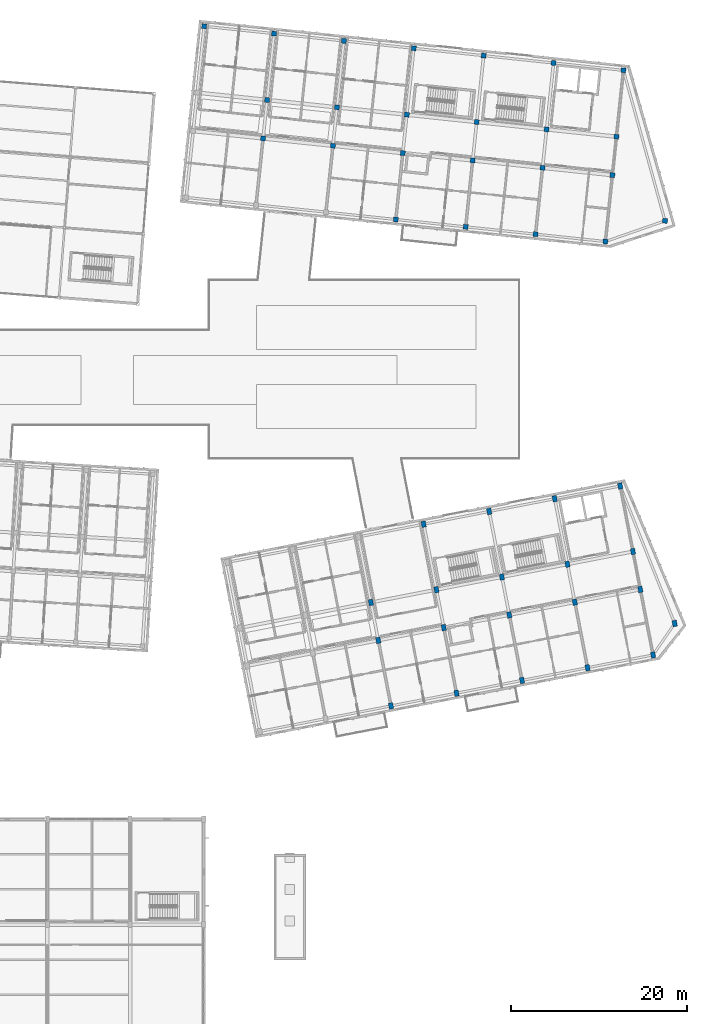
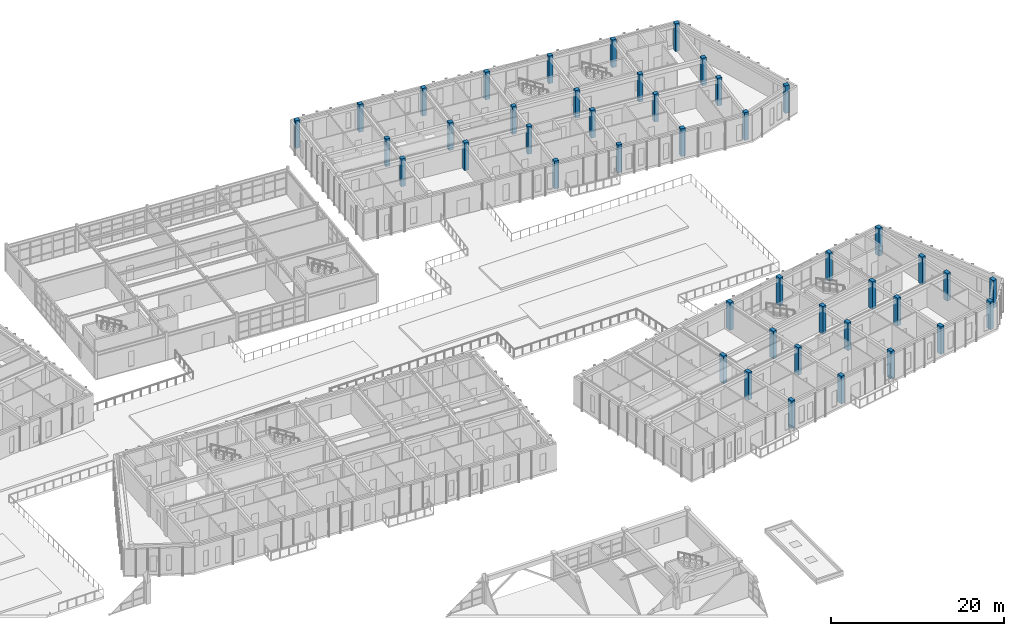
# One storey, part 5 of 150: 44 columns.
"""IFC4 building model written with IfcOpenShell, lengths in metres."""

from ifc_helpers import new_model, si_unit, direction, frame, origin, origin_2d, place, context, subcontext, project, spatial, rectangle, extrude, material, material_profile, profile_set, type_object, element, save


model = new_model("IFC4")

# Units and contexts
model_context = context("Model", 3, precision=1e-05, world=origin(), true_north=direction((0.0, 1.0)))
body_context = subcontext(model_context, "Body", "Model", "MODEL_VIEW")
ifc_project = project(units=[si_unit("LENGTHUNIT", "METRE"), si_unit("AREAUNIT", "SQUARE_METRE"), si_unit("VOLUMEUNIT", "CUBIC_METRE"), si_unit("PLANEANGLEUNIT", "RADIAN"), si_unit("MASSUNIT", "GRAM", prefix="KILO")], contexts=[model_context])

# Site, building, storey
site_placement = place(None, origin())
site = spatial("IfcSite", under=ifc_project, at=site_placement, CompositionType="ELEMENT")
building_placement = place(site_placement, origin())
building = spatial("IfcBuilding", under=site, at=building_placement, Name="Kestramere Prow Commons", CompositionType="ELEMENT")
storey_placement = place(building_placement, frame((0.0, 0.0, 4.5)))
storey = spatial("IfcBuildingStorey", under=building, at=storey_placement, Name="L01", CompositionType="ELEMENT", Elevation=4.5)

# Columns
ifc_material = material(Name="Precast concrete C40/50", Category="concrete")
ifc_material_profile_1 = material_profile(ifc_material, rectangle(XDim=0.550048828125, YDim=0.550048828125, at=origin_2d()), Name="PC-COL 550x550")
ifc_profile_set_1 = profile_set([ifc_material_profile_1], Name="Precast concrete C40/50")
column_type_1 = type_object("IfcColumnType", Name="C-B2 PC-COL 550x550", PredefinedType="COLUMN", material=ifc_profile_set_1)
for number, where, z_axis, x_axis, name in (
    (1, (112.048828125, 114.292724609375, 0.0), (0.0, 0.0, 1.0), (0.994521895368, -0.104528463268, 0.0), "Block B L01 Column 1-4"),
    (2, (118.75048828125, 101.522216796875, 0.0), (0.0, 0.0, 1.0), (0.994521895368, -0.104528463268, 0.0), "Block B L01 Column 2-2"),
    (3, (119.21044921875, 105.89794921875, 0.0), (0.0, 0.0, 1.0), (0.994521895368, -0.104528463268, 0.0), "Block B L01 Column 2-3"),
    (4, (120.0048828125, 113.456298828125, 0.0), (0.0, 0.0, 1.0), (0.994521895368, -0.104528463268, 0.0), "Block B L01 Column 2-4"),
    (5, (126.706787109375, 100.685791015625, 0.0), (0.0, 0.0, 1.0), (0.994521895368, -0.104528463268, 0.0), "Block B L01 Column 3-2"),
    (6, (127.166748046875, 105.061767578125, 0.0), (0.0, 0.0, 1.0), (0.994521895368, -0.104528463268, 0.0), "Block B L01 Column 3-3"),
    (7, (127.961181640625, 112.6201171875, 0.0), (0.0, 0.0, 1.0), (0.994521895368, -0.104528463268, 0.0), "Block B L01 Column 3-4"),
    (8, (133.868408203125, 92.291259765625, 0.0), (0.0, 0.0, 1.0), (0.994521895368, -0.104528463268, 0.0), "Block B L01 Column 4-1"),
    (9, (134.662841796875, 99.849609375, 0.0), (0.0, 0.0, 1.0), (0.994521895368, -0.104528463268, 0.0), "Block B L01 Column 4-2"),
    (10, (135.122802734375, 104.2255859375, 0.0), (0.0, 0.0, 1.0), (0.994521895368, -0.104528463268, 0.0), "Block B L01 Column 4-3"),
    (11, (135.917236328125, 111.783935546875, 0.0), (0.0, 0.0, 1.0), (0.994521895368, -0.104528463268, 0.0), "Block B L01 Column 4-4"),
    (12, (141.82470703125, 91.455078125, 0.0), (0.0, 0.0, 1.0), (0.994521895368, -0.104528463268, 0.0), "Block B L01 Column 5-1"),
    (13, (142.619140625, 99.013427734375, 0.0), (0.0, 0.0, 1.0), (0.994521895368, -0.104528463268, 0.0), "Block B L01 Column 5-2"),
    (14, (143.0791015625, 103.389404296875, 0.0), (0.0, 0.0, 1.0), (0.994521895368, -0.104528463268, 0.0), "Block B L01 Column 5-3"),
    (15, (143.87353515625, 110.94775390625, 0.0), (0.0, 0.0, 1.0), (0.994521895368, -0.104528463268, 0.0), "Block B L01 Column 5-4"),
    (16, (149.78076171875, 90.618896484375, 0.0), (0.0, 0.0, 1.0), (0.994521895368, -0.104528463268, 0.0), "Block B L01 Column 6-1"),
    (17, (150.5751953125, 98.17724609375, 0.0), (0.0, 0.0, 1.0), (0.994521895368, -0.104528463268, 0.0), "Block B L01 Column 6-2"),
    (18, (151.03515625, 102.55322265625, 0.0), (0.0, 0.0, 1.0), (0.994521895368, -0.104528463268, 0.0), "Block B L01 Column 6-3"),
    (19, (151.82958984375, 110.111572265625, 0.0), (0.0, 0.0, 1.0), (0.994521895368, -0.104528463268, 0.0), "Block B L01 Column 6-4"),
    (20, (157.737060546875, 89.78271484375, 0.0), (0.0, 0.0, 1.0), (0.994521895368, -0.104528463268, 0.0), "Block B L01 Column 7-1"),
    (21, (158.531494140625, 97.341064453125, 0.0), (0.0, 0.0, 1.0), (0.994521895368, -0.104528463268, 0.0), "Block B L01 Column 7-2"),
    (22, (158.991455078125, 101.716796875, 0.0), (0.0, 0.0, 1.0), (0.994521895368, -0.104528463268, 0.0), "Block B L01 Column 7-3"),
    (23, (159.785888671875, 109.275146484375, 0.0), (0.0, 0.0, 1.0), (0.994521895368, -0.104528463268, 0.0), "Block B L01 Column 7-4"),
    (24, (164.520263671875, 92.136474609375, 0.0), (0.0, 0.0, 1.0), (0.994521895368, -0.104528463268, 0.0), "Block B L01 Prow Apex Column"),
):
    element("IfcColumn", number, at=place(storey_placement, frame(where, z_axis=z_axis, x_axis=x_axis)), inside=storey, type_object=column_type_1, Name=name, PredefinedType="COLUMN", context=body_context, shape_type="SweptSolid", body=[
        extrude(rectangle(XDim=0.550048828125, YDim=0.550048828125, at=origin_2d()), origin(), (0.0, 0.0, 1.0), 3.89990234375),
    ])
ifc_material_profile_2 = material_profile(ifc_material, rectangle(XDim=0.5, YDim=0.699951171875, at=origin_2d()), Name="PC-COL 500x700")
ifc_profile_set_2 = profile_set([ifc_material_profile_2], Name="Precast concrete C40/50")
column_type_2 = type_object("IfcColumnType", Name="C-D2 PC-COL 500x700", PredefinedType="COLUMN", material=ifc_profile_set_2)
for number, where, z_axis, x_axis, name in (
    (25, (133.32080078125, 36.900390625, 0.0), (0.0, 0.0, 1.0), (0.981627183448, 0.190808995377, 0.0), "Block D L01 Column 3-1"),
    (26, (131.87060546875, 44.360595703125, 0.0), (0.0, 0.0, 1.0), (0.981627183448, 0.190808995377, 0.0), "Block D L01 Column 3-2"),
    (27, (131.031005859375, 48.679931640625, 0.0), (0.0, 0.0, 1.0), (0.981627183448, 0.190808995377, 0.0), "Block D L01 Column 3-3"),
    (28, (140.781005859375, 38.350341796875, 0.0), (0.0, 0.0, 1.0), (0.981627183448, 0.190808995377, 0.0), "Block D L01 Column 4-1"),
    (29, (139.3310546875, 45.810791015625, 0.0), (0.0, 0.0, 1.0), (0.981627183448, 0.190808995377, 0.0), "Block D L01 Column 4-2"),
    (30, (138.491455078125, 50.1298828125, 0.0), (0.0, 0.0, 1.0), (0.981627183448, 0.190808995377, 0.0), "Block D L01 Column 4-3"),
    (31, (137.041259765625, 57.59033203125, 0.0), (0.0, 0.0, 1.0), (0.981627183448, 0.190808995377, 0.0), "Block D L01 Column 4-4"),
    (32, (148.241455078125, 39.800537109375, 0.0), (0.0, 0.0, 1.0), (0.981627183448, 0.190808995377, 0.0), "Block D L01 Column 5-1"),
    (33, (146.791259765625, 47.260986328125, 0.0), (0.0, 0.0, 1.0), (0.981627183448, 0.190808995377, 0.0), "Block D L01 Column 5-2"),
    (34, (145.95166015625, 51.580078125, 0.0), (0.0, 0.0, 1.0), (0.981627183448, 0.190808995377, 0.0), "Block D L01 Column 5-3"),
    (35, (144.501708984375, 59.04052734375, 0.0), (0.0, 0.0, 1.0), (0.981627183448, 0.190808995377, 0.0), "Block D L01 Column 5-4"),
    (36, (155.701904296875, 41.250732421875, 0.0), (0.0, 0.0, 1.0), (0.981627183448, 0.190808995377, 0.0), "Block D L01 Column 6-1"),
    (37, (154.251708984375, 48.711181640625, 0.0), (0.0, 0.0, 1.0), (0.981627183448, 0.190808995377, 0.0), "Block D L01 Column 6-2"),
    (38, (153.412109375, 53.0302734375, 0.0), (0.0, 0.0, 1.0), (0.981627183448, 0.190808995377, 0.0), "Block D L01 Column 6-3"),
    (39, (151.9619140625, 60.49072265625, 0.0), (0.0, 0.0, 1.0), (0.981627183448, 0.190808995377, 0.0), "Block D L01 Column 6-4"),
    (40, (163.162109375, 42.700927734375, 0.0), (0.0, 0.0, 1.0), (0.981627183448, 0.190808995377, 0.0), "Block D L01 Column 7-1"),
    (41, (161.712158203125, 50.161376953125, 0.0), (0.0, 0.0, 1.0), (0.981627183448, 0.190808995377, 0.0), "Block D L01 Column 7-2"),
    (42, (160.87255859375, 54.48046875, 0.0), (0.0, 0.0, 1.0), (0.981627183448, 0.190808995377, 0.0), "Block D L01 Column 7-3"),
    (43, (159.42236328125, 61.940673828125, 0.0), (0.0, 0.0, 1.0), (0.981627183448, 0.190808995377, 0.0), "Block D L01 Column 7-4"),
    (44, (165.623291015625, 46.286376953125, 0.0), (0.0, 0.0, 1.0), (0.981627183448, 0.190808995377, 0.0), "Block D L01 Prow Apex Column"),
):
    element("IfcColumn", number, at=place(storey_placement, frame(where, z_axis=z_axis, x_axis=x_axis)), inside=storey, type_object=column_type_2, Name=name, PredefinedType="COLUMN", context=body_context, shape_type="SweptSolid", body=[
        extrude(rectangle(XDim=0.5, YDim=0.699951171875, at=origin_2d()), origin(), (0.0, 0.0, 1.0), 3.89990234375),
    ])

save(model, "model.ifc")
